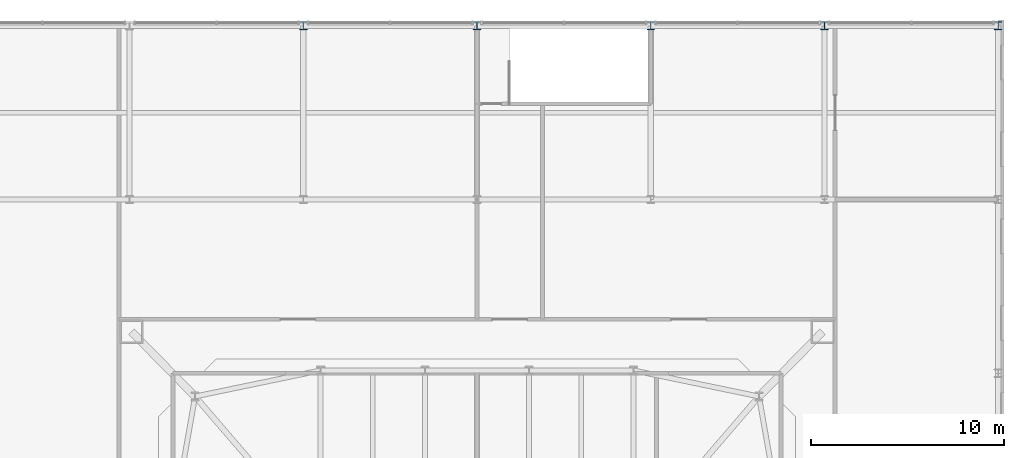
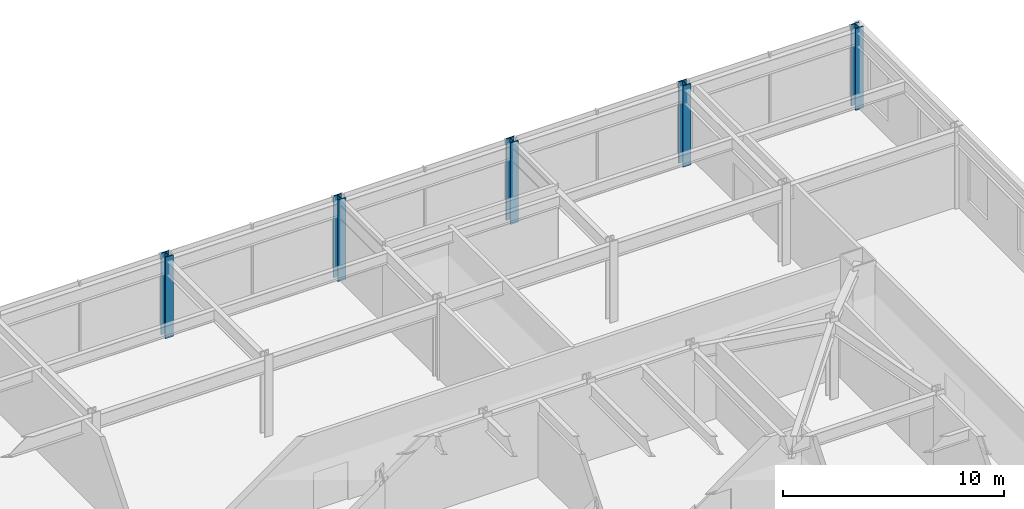
# One storey, part 5 of 30: 5 columns.
"""IFC4 building model written with IfcOpenShell, lengths in metres."""

from ifc_helpers import new_model, si_unit, direction, frame, origin, origin_2d, place, context, subcontext, project, spatial, i_section, extrude, material, material_profile, profile_set, type_object, element, save


model = new_model("IFC4")

# Units and contexts
model_context = context("Model", 3, precision=1e-05, world=origin(), true_north=direction((0.0, 1.0)))
body_context = subcontext(model_context, "Body", "Model", "MODEL_VIEW")
ifc_project = project(units=[si_unit("LENGTHUNIT", "METRE"), si_unit("AREAUNIT", "SQUARE_METRE"), si_unit("VOLUMEUNIT", "CUBIC_METRE"), si_unit("PLANEANGLEUNIT", "RADIAN"), si_unit("MASSUNIT", "GRAM", prefix="KILO")], contexts=[model_context])

# Site, building, storey
site_placement = place(None, origin())
site = spatial("IfcSite", under=ifc_project, at=site_placement, CompositionType="ELEMENT")
building_placement = place(site_placement, origin())
building = spatial("IfcBuilding", under=site, at=building_placement, Name="Iwan Alto Co-Living Towers", CompositionType="ELEMENT")
storey_placement = place(building_placement, frame((0.0, 0.0, 10.5)))
storey = spatial("IfcBuildingStorey", under=building, at=storey_placement, Name="L02", CompositionType="ELEMENT", Elevation=10.5)

# Columns
ifc_material = material(Name="Steel ASTM A992 Gr 50", Category="steel")
ifc_material_profile = material_profile(ifc_material, i_section(OverallWidth=0.411376953125, OverallDepth=0.434326171875, WebThickness=0.035888671875, FlangeThickness=0.057373046875, at=origin_2d()), Name="W14X311")
ifc_profile_set = profile_set([ifc_material_profile], Name="Steel ASTM A992 Gr 50")
column_type = type_object("IfcColumnType", Name="PODIUM COLUMN W14X311", PredefinedType="COLUMN", material=ifc_profile_set)
for number, where, z_axis, x_axis, name in (
    (1, (54.0, 36.0, 0.0), (0.0, 0.0, 1.0), (1.0, 0.0, 0.0), "Podium column 11/I L02"),
    (2, (63.0, 36.0, 0.0), (0.0, 0.0, 1.0), (1.0, 0.0, 0.0), "Podium column 12/I L02"),
    (3, (72.0, 36.0, 0.0), (0.0, 0.0, 1.0), (1.0, 0.0, 0.0), "Podium column 13/I L02"),
    (4, (81.0, 36.0, 0.0), (0.0, 0.0, 1.0), (1.0, 0.0, 0.0), "Podium column 14/I L02"),
    (5, (90.0, 36.0, 0.0), (0.0, 0.0, 1.0), (1.0, 0.0, 0.0), "Podium column 15/I L02"),
):
    element("IfcColumn", number, at=place(storey_placement, frame(where, z_axis=z_axis, x_axis=x_axis)), inside=storey, type_object=column_type, Name=name, PredefinedType="COLUMN", context=body_context, shape_type="SweptSolid", body=[
        extrude(i_section(OverallWidth=0.411376953125, OverallDepth=0.434326171875, WebThickness=0.035888671875, FlangeThickness=0.057373046875, at=origin_2d()), origin(), (0.0, 0.0, 1.0), 4.5),
    ])

save(model, "model.ifc")
